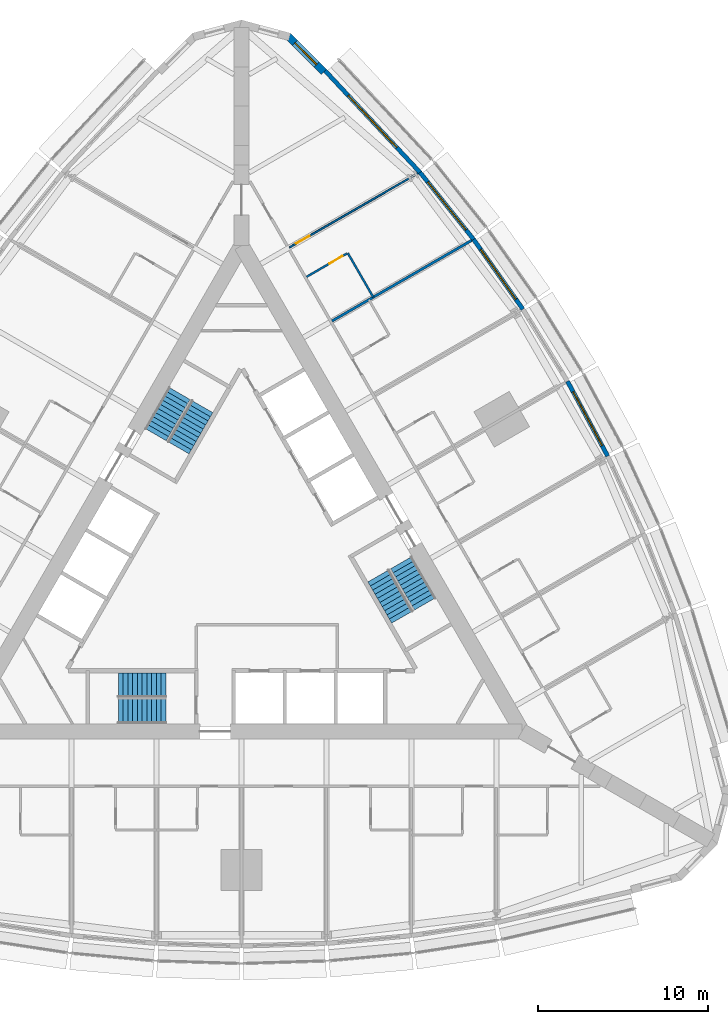
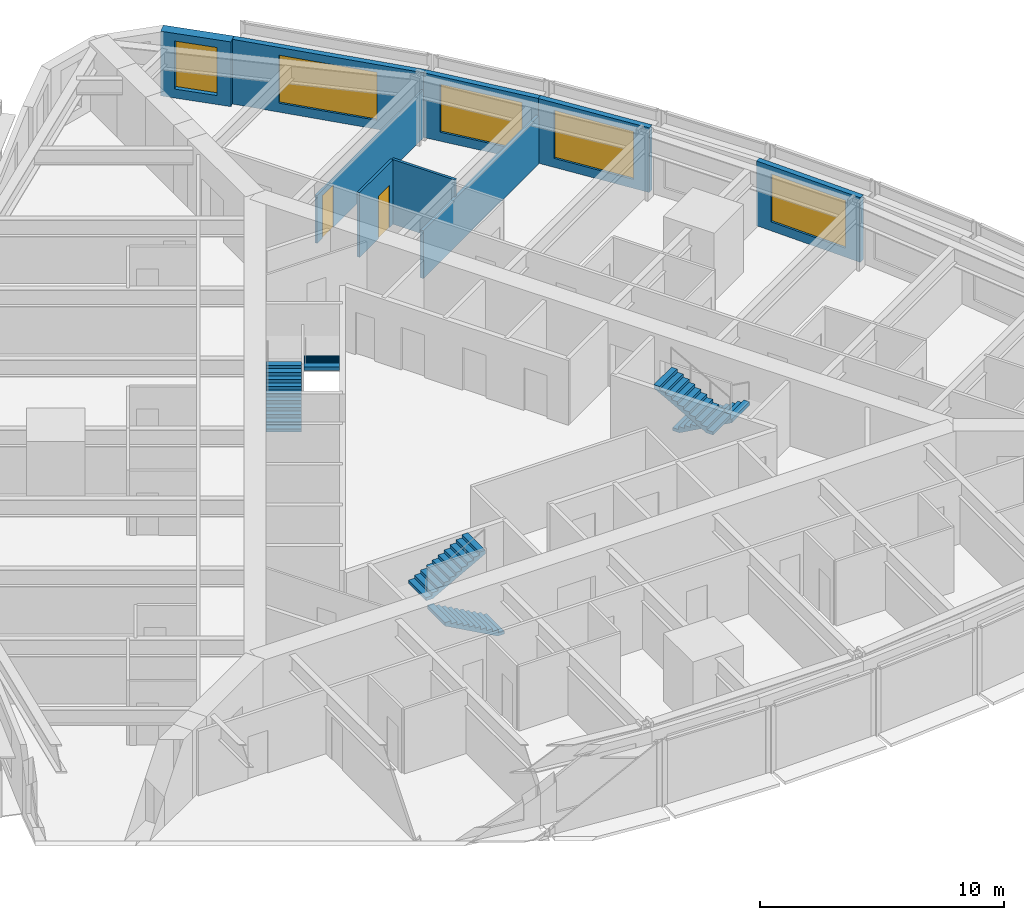
# One storey, part 13 of 14: 9 walls, 6 stair flights, 5 windows, 2 doors, 7 openings, 3 elements without a shape of their own.
"""IFC4 building model written with IfcOpenShell, lengths in metres."""

from ifc_helpers import new_model, si_unit, direction, frame, frame_2d, origin, place, context, subcontext, project, spatial, polyline, rectangle, outline, extrude, material, layer, layer_set, type_object, element, fill, aggregate, save


model = new_model("IFC4")

# Units and contexts
model_context = context("Model", 3, precision=1e-05, world=origin(), true_north=direction((0.0, 1.0)))
body_context = subcontext(model_context, "Body", "Model", "MODEL_VIEW")
ifc_project = project(units=[si_unit("LENGTHUNIT", "METRE"), si_unit("AREAUNIT", "SQUARE_METRE"), si_unit("VOLUMEUNIT", "CUBIC_METRE"), si_unit("PLANEANGLEUNIT", "RADIAN"), si_unit("MASSUNIT", "GRAM", prefix="KILO")], contexts=[model_context])

# Site, building, storey
site_placement = place(None, origin())
site = spatial("IfcSite", under=ifc_project, at=site_placement, CompositionType="ELEMENT")
building_placement = place(site_placement, origin())
building = spatial("IfcBuilding", under=site, at=building_placement, Name="Trikona Tower", CompositionType="ELEMENT")
storey_placement = place(building_placement, frame((0.0, 0.0, 31.89990234375)))
storey = spatial("IfcBuildingStorey", under=building, at=storey_placement, Name="L06", CompositionType="ELEMENT", Elevation=31.89990234375)

# Wall
ifc_material_1 = material(Name="Metal stud and cement board", Category="gypsum")
ifc_layer_1 = layer(ifc_material_1, 0.1201171875)
ifc_layer_set_1 = layer_set([ifc_layer_1], Name="Bathroom wall 120")
wall_type_1 = type_object("IfcWallType", Name="Bathroom wall 120", PredefinedType="PLUMBINGWALL", material=ifc_layer_set_1)
wall_1_placement = place(storey_placement, frame((7.75341796875, 16.0234375, 0.0), z_axis=(0.0, 0.0, 1.0), x_axis=(-0.499990139034, 0.866031096941, 0.0)))
element("IfcWall", 1, at=wall_1_placement, inside=storey, type_object=wall_type_1, Name="Bathroom wall 0613.1", PredefinedType="PLUMBINGWALL", context=body_context, shape_type="SweptSolid", body=[
    extrude(rectangle(XDim=3.0, YDim=0.1201171875, at=frame_2d((1.5, 0.0))), origin(), (0.0, 0.0, 1.0), 3.235107421875),
])

# Wall, opening, door
wall_2_placement = place(storey_placement, frame((3.82861328125, 17.221435546875, 0.0), z_axis=(0.0, 0.0, 1.0), x_axis=(0.865997131366, 0.500048966069, 0.0)))
wall_2 = element("IfcWall", 2, at=wall_2_placement, inside=storey, type_object=wall_type_1, Name="Bathroom wall 0613.1", PredefinedType="PLUMBINGWALL", context=body_context, shape_type="SweptSolid", body=[
    extrude(rectangle(XDim=2.739990234375, YDim=0.1201171875, at=frame_2d((1.3701171875, 0.0))), origin(), (0.0, 0.0, 1.0), 3.235107421875),
])
opening_1_placement = place(wall_2_placement, frame((1.550048828125, 0.0, 0.0)))
opening_1 = element("IfcOpeningElement", 3, at=opening_1_placement, cuts=wall_2, Name="Opening D2", PredefinedType="OPENING", context=body_context, shape_type="SweptSolid", body=[
    extrude(rectangle(XDim=0.89990234375, YDim=2.1298828125, at=frame_2d((0.449951171875, 1.06494140625))), frame((0.0, 0.070068359375, 0.0), z_axis=(0.0, -1.0, 0.0), x_axis=(1.0, 0.0, 0.0)), (0.0, 0.0, 1.0), 0.14013671875),
])
ifc_material_2 = material(Name="Steel door frame with solid-core timber leaf", Category="steel")
door_type_1 = type_object("IfcDoorType", Name="Bathroom door 900x2130", OperationType="SLIDING_TO_LEFT", PredefinedType="DOOR", material=ifc_material_2)
door_1_placement = place(opening_1_placement, origin())
door_1 = element("IfcDoor", 4, at=door_1_placement, inside=storey, type_object=door_type_1, Name="Bathroom door 0613.1", OperationType="SLIDING_TO_LEFT", OverallHeight=2.1298828125, OverallWidth=0.89990234375, PredefinedType="DOOR", context=body_context, shape_type="SweptSolid", body=[
    extrude(rectangle(XDim=0.89990234375, YDim=2.1298828125, at=frame_2d((0.449951171875, 1.06494140625))), frame((0.0, 0.02490234375, 0.0), z_axis=(0.0, -1.0, 0.0), x_axis=(1.0, 0.0, 0.0)), (0.0, 0.0, 1.0), 0.050048828125),
])
fill(opening_1, door_1)

# Wall, opening, window
ifc_material_3 = material(Name="Brick-faced precast concrete", Category="masonry")
ifc_layer_2 = layer(ifc_material_3, 0.449951171875)
ifc_layer_set_2 = layer_set([ifc_layer_2], Name="Brick-faced corner wall 450")
wall_type_2 = type_object("IfcWallType", Name="Brick-faced corner wall 450", PredefinedType="SOLIDWALL", material=ifc_layer_set_2)
wall_3_placement = place(storey_placement, frame((4.8408203125, 29.285888671875, 0.0), z_axis=(0.0, 0.0, 1.0), x_axis=(-0.707106781187, 0.707106781187, 0.0)))
wall_3 = element("IfcWall", 5, at=wall_3_placement, inside=storey, type_object=wall_type_2, Name="External wall L06-20", PredefinedType="SOLIDWALL", context=body_context, shape_type="SweptSolid", body=[
    extrude(rectangle(XDim=2.98828125, YDim=0.449951171875, at=frame_2d((1.494140625, 0.0))), origin(), (0.0, 0.0, 1.0), 3.235107421875),
])
opening_2_placement = place(wall_3_placement, frame((0.59423828125, 0.0, 0.449951171875)))
opening_2 = element("IfcOpeningElement", 6, at=opening_2_placement, cuts=wall_3, Name="Opening W1824", PredefinedType="OPENING", context=body_context, shape_type="SweptSolid", body=[
    extrude(rectangle(XDim=1.800048828125, YDim=2.39990234375, at=frame_2d((0.89990234375, 1.199951171875))), frame((0.0, 0.23486328125, 0.0), z_axis=(0.0, -1.0, 0.0), x_axis=(1.0, 0.0, 0.0)), (0.0, 0.0, 1.0), 0.469970703125),
])
ifc_material_4 = material(Name="Aluminium-framed double glazing", Category="aluminium")
window_type_1 = type_object("IfcWindowType", Name="Window 1800x2400", PartitioningType="SINGLE_PANEL", PredefinedType="WINDOW", material=ifc_material_4)
window_1_placement = place(opening_2_placement, origin())
window_1 = element("IfcWindow", 7, at=window_1_placement, inside=storey, type_object=window_type_1, Name="Window 0613", OverallHeight=2.39990234375, OverallWidth=1.800048828125, PartitioningType="SINGLE_PANEL", PredefinedType="WINDOW", context=body_context, shape_type="SweptSolid", body=[
    extrude(rectangle(XDim=1.800048828125, YDim=2.39990234375, at=frame_2d((0.89990234375, 1.199951171875))), frame((0.0, 0.030029296875, 0.0), z_axis=(0.0, -1.0, 0.0), x_axis=(1.0, 0.0, 0.0)), (0.0, 0.0, 1.0), 0.06005859375),
])
fill(opening_2, window_1)

ifc_material_5 = material(Name="Insulated precast concrete spandrel panel", Category="concrete")
ifc_layer_3 = layer(ifc_material_5, 0.25)
ifc_layer_set_3 = layer_set([ifc_layer_3], Name="Inner skin wall 250")
wall_type_3 = type_object("IfcWallType", Name="Inner skin wall 250", PredefinedType="STANDARD", material=ifc_layer_set_3)
wall_4_placement = place(storey_placement, frame((21.546630859375, 6.6708984375, 0.0), z_axis=(0.0, 0.0, 1.0), x_axis=(-0.473412820489, 0.880840678782, 0.0)))
wall_4 = element("IfcWall", 8, at=wall_4_placement, inside=storey, type_object=wall_type_3, Name="External wall L06-15", PredefinedType="STANDARD", context=body_context, shape_type="SweptSolid", body=[
    extrude(rectangle(XDim=5.00244140625, YDim=0.25, at=frame_2d((2.501220703125, 0.0))), origin(), (0.0, 0.0, 1.0), 3.235107421875),
])
opening_3_placement = place(wall_4_placement, frame((0.701171875, 0.0, 0.449951171875)))
opening_3 = element("IfcOpeningElement", 9, at=opening_3_placement, cuts=wall_4, Name="Opening W3624", PredefinedType="OPENING", context=body_context, shape_type="SweptSolid", body=[
    extrude(rectangle(XDim=3.60009765625, YDim=2.39990234375, at=frame_2d((1.800048828125, 1.199951171875))), frame((0.0, 0.135009765625, 0.0), z_axis=(0.0, -1.0, 0.0), x_axis=(1.0, 0.0, 0.0)), (0.0, 0.0, 1.0), 0.27001953125),
])
ifc_material_6 = material(Name="Aluminium-framed double glazing", Category="aluminium")
window_type_2 = type_object("IfcWindowType", Name="Window 3600x2400", PartitioningType="SINGLE_PANEL", PredefinedType="WINDOW", material=ifc_material_6)
window_2_placement = place(opening_3_placement, origin())
window_2 = element("IfcWindow", 10, at=window_2_placement, inside=storey, type_object=window_type_2, Name="Window 0610", OverallHeight=2.39990234375, OverallWidth=3.60009765625, PartitioningType="SINGLE_PANEL", PredefinedType="WINDOW", context=body_context, shape_type="SweptSolid", body=[
    extrude(rectangle(XDim=3.60009765625, YDim=2.39990234375, at=frame_2d((1.800048828125, 1.199951171875))), frame((0.0, 0.030029296875, 0.0), z_axis=(0.0, -1.0, 0.0), x_axis=(1.0, 0.0, 0.0)), (0.0, 0.0, 1.0), 0.06005859375),
])
fill(opening_3, window_2)

wall_5_placement = place(storey_placement, frame((16.5546875, 15.318115234375, 0.0), z_axis=(0.0, 0.0, 1.0), x_axis=(-0.5766431066, 0.81699616132, 0.0)))
wall_5 = element("IfcWall", 11, at=wall_5_placement, inside=storey, type_object=wall_type_3, Name="External wall L06-17", PredefinedType="STANDARD", context=body_context, shape_type="SweptSolid", body=[
    extrude(rectangle(XDim=5.02099609375, YDim=0.25, at=frame_2d((2.510498046875, 0.0))), origin(), (0.0, 0.0, 1.0), 3.235107421875),
])
opening_4_placement = place(wall_5_placement, frame((0.71044921875, 0.0, 0.449951171875)))
opening_4 = element("IfcOpeningElement", 12, at=opening_4_placement, cuts=wall_5, Name="Opening W3624", PredefinedType="OPENING", context=body_context, shape_type="SweptSolid", body=[
    extrude(rectangle(XDim=3.60009765625, YDim=2.39990234375, at=frame_2d((1.800048828125, 1.199951171875))), frame((0.0, 0.135009765625, 0.0), z_axis=(0.0, -1.0, 0.0), x_axis=(1.0, 0.0, 0.0)), (0.0, 0.0, 1.0), 0.27001953125),
])
window_3_placement = place(opening_4_placement, origin())
window_3 = element("IfcWindow", 13, at=window_3_placement, inside=storey, type_object=window_type_2, Name="Window 0612", OverallHeight=2.39990234375, OverallWidth=3.60009765625, PartitioningType="SINGLE_PANEL", PredefinedType="WINDOW", context=body_context, shape_type="SweptSolid", body=[
    extrude(rectangle(XDim=3.60009765625, YDim=2.39990234375, at=frame_2d((1.800048828125, 1.199951171875))), frame((0.0, 0.030029296875, 0.0), z_axis=(0.0, -1.0, 0.0), x_axis=(1.0, 0.0, 0.0)), (0.0, 0.0, 1.0), 0.06005859375),
])
fill(opening_4, window_3)

wall_6_placement = place(storey_placement, frame((13.663818359375, 19.4140625, 0.0), z_axis=(0.0, 0.0, 1.0), x_axis=(-0.624594965756, 0.780948864364, 0.0)))
wall_6 = element("IfcWall", 14, at=wall_6_placement, inside=storey, type_object=wall_type_3, Name="External wall L06-18", PredefinedType="STANDARD", context=body_context, shape_type="SweptSolid", body=[
    extrude(rectangle(XDim=5.0576171875, YDim=0.25, at=frame_2d((2.52880859375, 0.0))), origin(), (0.0, 0.0, 1.0), 3.235107421875),
])
opening_5_placement = place(wall_6_placement, frame((0.728759765625, 0.0, 0.449951171875)))
opening_5 = element("IfcOpeningElement", 15, at=opening_5_placement, cuts=wall_6, Name="Opening W3624", PredefinedType="OPENING", context=body_context, shape_type="SweptSolid", body=[
    extrude(rectangle(XDim=3.60009765625, YDim=2.39990234375, at=frame_2d((1.800048828125, 1.199951171875))), frame((0.0, 0.135009765625, 0.0), z_axis=(0.0, -1.0, 0.0), x_axis=(1.0, 0.0, 0.0)), (0.0, 0.0, 1.0), 0.27001953125),
])
window_4_placement = place(opening_5_placement, origin())
window_4 = element("IfcWindow", 16, at=window_4_placement, inside=storey, type_object=window_type_2, Name="Window 0613.1", OverallHeight=2.39990234375, OverallWidth=3.60009765625, PartitioningType="SINGLE_PANEL", PredefinedType="WINDOW", context=body_context, shape_type="SweptSolid", body=[
    extrude(rectangle(XDim=3.60009765625, YDim=2.39990234375, at=frame_2d((1.800048828125, 1.199951171875))), frame((0.0, 0.030029296875, 0.0), z_axis=(0.0, -1.0, 0.0), x_axis=(1.0, 0.0, 0.0)), (0.0, 0.0, 1.0), 0.06005859375),
])
fill(opening_5, window_4)

wall_7_placement = place(storey_placement, frame((10.510986328125, 23.356689453125, 0.0), z_axis=(0.0, 0.0, 1.0), x_axis=(-0.682289646561, 0.731081964075, 0.0)))
wall_7 = element("IfcWall", 17, at=wall_7_placement, inside=storey, type_object=wall_type_3, Name="External wall L06-19", PredefinedType="STANDARD", context=body_context, shape_type="SweptSolid", body=[
    extrude(rectangle(XDim=8.2109375, YDim=0.25, at=frame_2d((4.10546875, 0.0))), origin(), (0.0, 0.0, 1.0), 3.235107421875),
])
opening_6_placement = place(wall_7_placement, frame((2.005615234375, 0.0, 0.449951171875)))
opening_6 = element("IfcOpeningElement", 18, at=opening_6_placement, cuts=wall_7, Name="Opening W4224", PredefinedType="OPENING", context=body_context, shape_type="SweptSolid", body=[
    extrude(rectangle(XDim=4.199951171875, YDim=2.39990234375, at=frame_2d((2.10009765625, 1.199951171875))), frame((0.0, 0.135009765625, 0.0), z_axis=(0.0, -1.0, 0.0), x_axis=(1.0, 0.0, 0.0)), (0.0, 0.0, 1.0), 0.27001953125),
])
ifc_material_7 = material(Name="Aluminium-framed double glazing", Category="aluminium")
window_type_3 = type_object("IfcWindowType", Name="Window 4200x2400", PartitioningType="SINGLE_PANEL", PredefinedType="WINDOW", material=ifc_material_7)
window_5_placement = place(opening_6_placement, origin())
window_5 = element("IfcWindow", 19, at=window_5_placement, inside=storey, type_object=window_type_3, Name="Window 0613", OverallHeight=2.39990234375, OverallWidth=4.199951171875, PartitioningType="SINGLE_PANEL", PredefinedType="WINDOW", context=body_context, shape_type="SweptSolid", body=[
    extrude(rectangle(XDim=4.199951171875, YDim=2.39990234375, at=frame_2d((2.10009765625, 1.199951171875))), frame((0.0, 0.030029296875, 0.0), z_axis=(0.0, -1.0, 0.0), x_axis=(1.0, 0.0, 0.0)), (0.0, 0.0, 1.0), 0.06005859375),
])
fill(opening_6, window_5)

# Wall
ifc_material_8 = material(Name="Metal stud and gypsum board, 1-hour acoustic", Category="gypsum")
ifc_layer_4 = layer(ifc_material_8, 0.14990234375)
ifc_layer_set_4 = layer_set([ifc_layer_4], Name="Party wall 150")
wall_type_4 = type_object("IfcWallType", Name="Party wall 150", PredefinedType="PARTITIONING", material=ifc_layer_set_4)
wall_8_placement = place(storey_placement, frame((5.32861328125, 14.623291015625, 0.0), z_axis=(0.0, 0.0, 1.0), x_axis=(0.866018409083, 0.500012114982, 0.0)))
element("IfcWall", 20, at=wall_8_placement, inside=storey, type_object=wall_type_4, Name="Partition L06 F2 u10", PredefinedType="PARTITIONING", context=body_context, shape_type="SweptSolid", body=[
    extrude(rectangle(XDim=9.484619140625, YDim=0.14990234375, at=frame_2d((4.7421875, 0.0))), origin(), (0.0, 0.0, 1.0), 2.389404296875),
])

# Wall, opening, door
ifc_material_9 = material(Name="Metal stud and gypsum board, acoustic", Category="gypsum")
ifc_layer_5 = layer(ifc_material_9, 0.10009765625)
ifc_layer_set_5 = layer_set([ifc_layer_5], Name="Suite partition 100")
wall_type_5 = type_object("IfcWallType", Name="Suite partition 100", PredefinedType="PARTITIONING", material=ifc_layer_set_5)
wall_9_placement = place(storey_placement, frame((2.82861328125, 18.95361328125, 0.0), z_axis=(0.0, 0.0, 1.0), x_axis=(0.866020536561, 0.500008430184, 0.0)))
wall_9 = element("IfcWall", 21, at=wall_9_placement, inside=storey, type_object=wall_type_5, Name="Suite partition L06 F2 u15", PredefinedType="PARTITIONING", context=body_context, shape_type="SweptSolid", body=[
    extrude(rectangle(XDim=8.719970703125, YDim=0.10009765625, at=frame_2d((4.35986328125, 0.0))), origin(), (0.0, 0.0, 1.0), 2.389404296875),
])
opening_7_placement = place(wall_9_placement, frame((0.449951171875, 0.0, 0.0)))
opening_7 = element("IfcOpeningElement", 22, at=opening_7_placement, cuts=wall_9, Name="Opening D13", PredefinedType="OPENING", context=body_context, shape_type="SweptSolid", body=[
    extrude(rectangle(XDim=0.89990234375, YDim=2.1298828125, at=frame_2d((0.449951171875, 1.06494140625))), frame((0.0, 0.06005859375, 0.0), z_axis=(0.0, -1.0, 0.0), x_axis=(1.0, 0.0, 0.0)), (0.0, 0.0, 1.0), 0.1201171875),
])
ifc_material_10 = material(Name="Steel door frame with solid-core timber leaf", Category="steel")
door_type_2 = type_object("IfcDoorType", Name="Suite door 900x2130", OperationType="SINGLE_SWING_LEFT", PredefinedType="DOOR", material=ifc_material_10)
door_2_placement = place(opening_7_placement, origin())
door_2 = element("IfcDoor", 23, at=door_2_placement, inside=storey, type_object=door_type_2, Name="Suite door 0613", OperationType="SINGLE_SWING_LEFT", OverallHeight=2.1298828125, OverallWidth=0.89990234375, PredefinedType="DOOR", context=body_context, shape_type="SweptSolid", body=[
    extrude(rectangle(XDim=0.89990234375, YDim=2.1298828125, at=frame_2d((0.449951171875, 1.06494140625))), frame((0.0, 0.02490234375, 0.0), z_axis=(0.0, -1.0, 0.0), x_axis=(1.0, 0.0, 0.0)), (0.0, 0.0, 1.0), 0.050048828125),
])
fill(opening_7, door_2)

# Stair, stair flights
ifc_material_11 = material(Name="Concrete f'c 5000 psi", Category="concrete")
stair_type = type_object("IfcStairType", Name="Core stair", PredefinedType="HALF_TURN_STAIR", material=ifc_material_11)
stair_1_placement = place(storey_placement, origin())
stair_1 = element("IfcStair", 24, at=stair_1_placement, inside=storey, type_object=stair_type, Name="Stair A L06", PredefinedType="HALF_TURN_STAIR")
ifc_material_12 = material(Name="Concrete f'c 5000 psi", Category="concrete")
stair_flight_type = type_object("IfcStairFlightType", Name="Core stair flight 1450", PredefinedType="STRAIGHT", material=ifc_material_12)
stair_flight_1_placement = place(storey_placement, frame((-4.449951171875, -8.351318359375, 0.0), z_axis=(0.0, 0.0, 1.0), x_axis=(-1.0, 0.0, 0.0)))
stair_flight_1 = element("IfcStairFlight", 25, at=stair_flight_1_placement, type_object=stair_flight_type, Name="ST-A flight 1", NumberOfRisers=11, NumberOfTreads=10, PredefinedType="STRAIGHT", RiserHeight=0.154545, TreadLength=0.28, context=body_context, shape_type="SweptSolid", body=[
    extrude(outline(polyline([(0.0, 0.0), (0.0, 0.154541015625), (0.280029296875, 0.154541015625), (0.280029296875, 0.30908203125), (0.56005859375, 0.30908203125), (0.56005859375, 0.463623046875), (0.840087890625, 0.463623046875), (0.840087890625, 0.6181640625), (1.1201171875, 0.6181640625), (1.1201171875, 0.772705078125), (1.39990234375, 0.772705078125), (1.39990234375, 0.92724609375), (1.679931640625, 0.92724609375), (1.679931640625, 1.081787109375), (1.9599609375, 1.081787109375), (1.9599609375, 1.236328125), (2.239990234375, 1.236328125), (2.239990234375, 1.390869140625), (2.52001953125, 1.390869140625), (2.52001953125, 1.54541015625), (2.800048828125, 1.54541015625), (2.800048828125, 1.699951171875), (2.800048828125, 1.374267578125), (0.310302734375, 0.0), (0.0, 0.0)])), frame((0.0, 0.72509765625, 0.0), z_axis=(0.0, -1.0, 0.0), x_axis=(1.0, 0.0, 0.0)), (0.0, 0.0, 1.0), 1.449951171875),
])
stair_flight_2_placement = place(storey_placement, frame((-7.25, -6.80126953125, 1.7001953125), z_axis=(0.0, 0.0, 1.0), x_axis=(1.0, 0.0, 0.0)))
stair_flight_2 = element("IfcStairFlight", 26, at=stair_flight_2_placement, type_object=stair_flight_type, Name="ST-A flight 2", NumberOfRisers=11, NumberOfTreads=10, PredefinedType="STRAIGHT", RiserHeight=0.154545, TreadLength=0.28, context=body_context, shape_type="SweptSolid", body=[
    extrude(outline(polyline([(0.0, 0.0), (0.0, 0.154541015625), (0.280029296875, 0.154541015625), (0.280029296875, 0.30908203125), (0.56005859375, 0.30908203125), (0.56005859375, 0.463623046875), (0.840087890625, 0.463623046875), (0.840087890625, 0.6181640625), (1.1201171875, 0.6181640625), (1.1201171875, 0.772705078125), (1.39990234375, 0.772705078125), (1.39990234375, 0.92724609375), (1.679931640625, 0.92724609375), (1.679931640625, 1.081787109375), (1.9599609375, 1.081787109375), (1.9599609375, 1.236328125), (2.239990234375, 1.236328125), (2.239990234375, 1.390869140625), (2.52001953125, 1.390869140625), (2.52001953125, 1.54541015625), (2.800048828125, 1.54541015625), (2.800048828125, 1.699951171875), (2.800048828125, 1.374267578125), (0.310302734375, 0.0), (0.0, 0.0)])), frame((0.0, 0.72509765625, 0.0), z_axis=(0.0, -1.0, 0.0), x_axis=(1.0, 0.0, 0.0)), (0.0, 0.0, 1.0), 1.449951171875),
])
aggregate(stair_1, [stair_flight_1, stair_flight_2])

stair_2_placement = place(storey_placement, origin())
stair_2 = element("IfcStair", 27, at=stair_2_placement, inside=storey, type_object=stair_type, Name="Stair B L06", PredefinedType="HALF_TURN_STAIR")
stair_flight_3_placement = place(storey_placement, frame((9.407470703125, 0.408447265625, 0.0), z_axis=(0.0, 0.0, 1.0), x_axis=(0.5, -0.866025403784, 0.0)))
stair_flight_3 = element("IfcStairFlight", 28, at=stair_flight_3_placement, type_object=stair_flight_type, Name="ST-B flight 1", NumberOfRisers=11, NumberOfTreads=10, PredefinedType="STRAIGHT", RiserHeight=0.154545, TreadLength=0.28, context=body_context, shape_type="SweptSolid", body=[
    extrude(outline(polyline([(0.0, 0.0), (0.0, 0.154541015625), (0.280029296875, 0.154541015625), (0.280029296875, 0.30908203125), (0.56005859375, 0.30908203125), (0.56005859375, 0.463623046875), (0.840087890625, 0.463623046875), (0.840087890625, 0.6181640625), (1.1201171875, 0.6181640625), (1.1201171875, 0.772705078125), (1.39990234375, 0.772705078125), (1.39990234375, 0.92724609375), (1.679931640625, 0.92724609375), (1.679931640625, 1.081787109375), (1.9599609375, 1.081787109375), (1.9599609375, 1.236328125), (2.239990234375, 1.236328125), (2.239990234375, 1.390869140625), (2.52001953125, 1.390869140625), (2.52001953125, 1.54541015625), (2.800048828125, 1.54541015625), (2.800048828125, 1.699951171875), (2.800048828125, 1.374267578125), (0.310302734375, 0.0), (0.0, 0.0)])), frame((0.0, 0.72509765625, 0.0), z_axis=(0.0, -1.0, 0.0), x_axis=(1.0, 0.0, 0.0)), (0.0, 0.0, 1.0), 1.449951171875),
])
stair_flight_4_placement = place(storey_placement, frame((9.465087890625, -2.79150390625, 1.7001953125), z_axis=(0.0, 0.0, 1.0), x_axis=(-0.5, 0.866025403784, 0.0)))
stair_flight_4 = element("IfcStairFlight", 29, at=stair_flight_4_placement, type_object=stair_flight_type, Name="ST-B flight 2", NumberOfRisers=11, NumberOfTreads=10, PredefinedType="STRAIGHT", RiserHeight=0.154545, TreadLength=0.28, context=body_context, shape_type="SweptSolid", body=[
    extrude(outline(polyline([(0.0, 0.0), (0.0, 0.154541015625), (0.280029296875, 0.154541015625), (0.280029296875, 0.30908203125), (0.56005859375, 0.30908203125), (0.56005859375, 0.463623046875), (0.840087890625, 0.463623046875), (0.840087890625, 0.6181640625), (1.1201171875, 0.6181640625), (1.1201171875, 0.772705078125), (1.39990234375, 0.772705078125), (1.39990234375, 0.92724609375), (1.679931640625, 0.92724609375), (1.679931640625, 1.081787109375), (1.9599609375, 1.081787109375), (1.9599609375, 1.236328125), (2.239990234375, 1.236328125), (2.239990234375, 1.390869140625), (2.52001953125, 1.390869140625), (2.52001953125, 1.54541015625), (2.800048828125, 1.54541015625), (2.800048828125, 1.699951171875), (2.800048828125, 1.374267578125), (0.310302734375, 0.0), (0.0, 0.0)])), frame((0.0, 0.72509765625, 0.0), z_axis=(0.0, -1.0, 0.0), x_axis=(1.0, 0.0, 0.0)), (0.0, 0.0, 1.0), 1.449951171875),
])
aggregate(stair_2, [stair_flight_3, stair_flight_4])

stair_3_placement = place(storey_placement, origin())
stair_3 = element("IfcStair", 30, at=stair_3_placement, inside=storey, type_object=stair_type, Name="Stair C L06", PredefinedType="HALF_TURN_STAIR")
stair_flight_5_placement = place(storey_placement, frame((-5.057373046875, 7.94287109375, 0.0), z_axis=(0.0, 0.0, 1.0), x_axis=(0.5, 0.866025403784, 0.0)))
stair_flight_5 = element("IfcStairFlight", 31, at=stair_flight_5_placement, type_object=stair_flight_type, Name="ST-C flight 1", NumberOfRisers=11, NumberOfTreads=10, PredefinedType="STRAIGHT", RiserHeight=0.154545, TreadLength=0.28, context=body_context, shape_type="SweptSolid", body=[
    extrude(outline(polyline([(0.0, 0.0), (0.0, 0.154541015625), (0.280029296875, 0.154541015625), (0.280029296875, 0.30908203125), (0.56005859375, 0.30908203125), (0.56005859375, 0.463623046875), (0.840087890625, 0.463623046875), (0.840087890625, 0.6181640625), (1.1201171875, 0.6181640625), (1.1201171875, 0.772705078125), (1.39990234375, 0.772705078125), (1.39990234375, 0.92724609375), (1.679931640625, 0.92724609375), (1.679931640625, 1.081787109375), (1.9599609375, 1.081787109375), (1.9599609375, 1.236328125), (2.239990234375, 1.236328125), (2.239990234375, 1.390869140625), (2.52001953125, 1.390869140625), (2.52001953125, 1.54541015625), (2.800048828125, 1.54541015625), (2.800048828125, 1.699951171875), (2.800048828125, 1.374267578125), (0.310302734375, 0.0), (0.0, 0.0)])), frame((0.0, 0.72509765625, 0.0), z_axis=(0.0, -1.0, 0.0), x_axis=(1.0, 0.0, 0.0)), (0.0, 0.0, 1.0), 1.449951171875),
])
stair_flight_6_placement = place(storey_placement, frame((-2.315185546875, 9.5927734375, 1.7001953125), z_axis=(0.0, 0.0, 1.0), x_axis=(-0.5, -0.866025403784, 0.0)))
stair_flight_6 = element("IfcStairFlight", 32, at=stair_flight_6_placement, type_object=stair_flight_type, Name="ST-C flight 2", NumberOfRisers=11, NumberOfTreads=10, PredefinedType="STRAIGHT", RiserHeight=0.154545, TreadLength=0.28, context=body_context, shape_type="SweptSolid", body=[
    extrude(outline(polyline([(0.0, 0.0), (0.0, 0.154541015625), (0.280029296875, 0.154541015625), (0.280029296875, 0.30908203125), (0.56005859375, 0.30908203125), (0.56005859375, 0.463623046875), (0.840087890625, 0.463623046875), (0.840087890625, 0.6181640625), (1.1201171875, 0.6181640625), (1.1201171875, 0.772705078125), (1.39990234375, 0.772705078125), (1.39990234375, 0.92724609375), (1.679931640625, 0.92724609375), (1.679931640625, 1.081787109375), (1.9599609375, 1.081787109375), (1.9599609375, 1.236328125), (2.239990234375, 1.236328125), (2.239990234375, 1.390869140625), (2.52001953125, 1.390869140625), (2.52001953125, 1.54541015625), (2.800048828125, 1.54541015625), (2.800048828125, 1.699951171875), (2.800048828125, 1.374267578125), (0.310302734375, 0.0), (0.0, 0.0)])), frame((0.0, 0.72509765625, 0.0), z_axis=(0.0, -1.0, 0.0), x_axis=(1.0, 0.0, 0.0)), (0.0, 0.0, 1.0), 1.449951171875),
])
aggregate(stair_3, [stair_flight_5, stair_flight_6])

save(model, "model.ifc")
